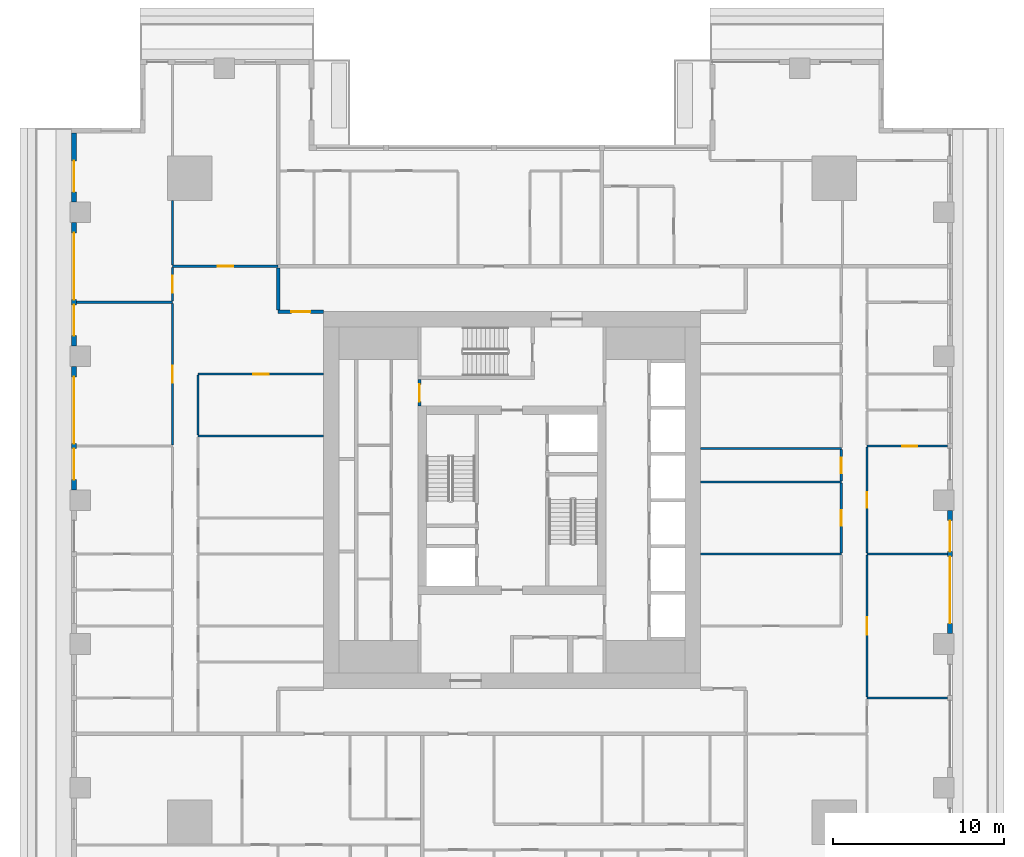
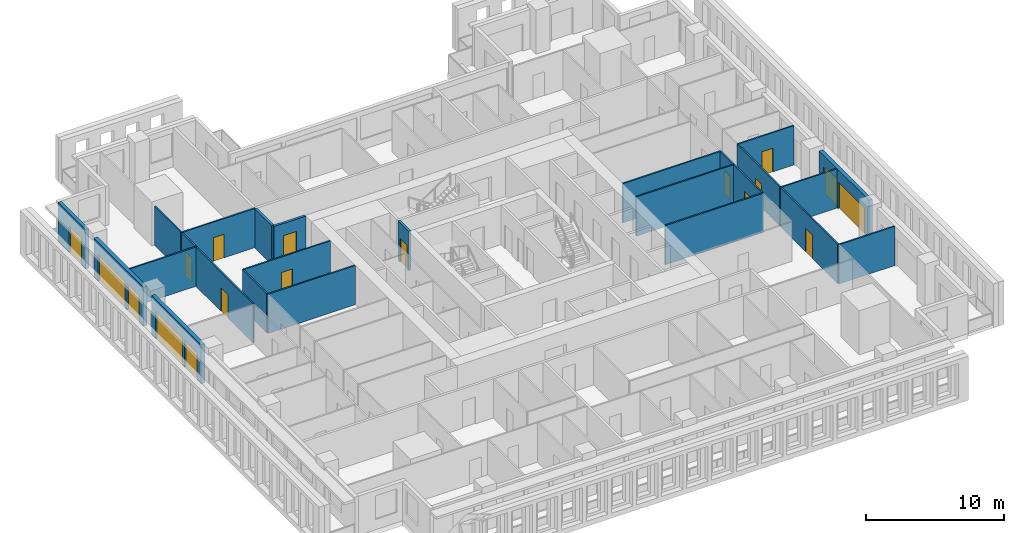
# One storey, part 6 of 15: 25 walls, 18 doors, 18 openings.
"""IFC4 building model written with IfcOpenShell, lengths in metres."""

import ifcopenshell
import ifcopenshell.guid

model = None  # the IFC model being written
_history = None  # IfcOwnerHistory: only IFC2X3 demands one
_inside = {}  # id of a spatial element -> (the spatial element, [elements in it])
_under = {}  # id of a project, library or spatial element -> (it, [spatial elements below it])
_declared = {}  # id of a project -> (the project, [libraries it declares])
_typed = {}  # id of a type object -> (the type object, [elements of that type])
_made_of = {}  # id of a material, layer set ... -> (it, [elements and type objects made of it])


def new_model(schema):
    """Start an empty IFC model of exactly this schema.

    Asked for "IFC4X3", IfcOpenShell would pick the latest addendum, in which some entities
    have other attributes; the version numbers below select the first issue.
    IFC2X3 requires an IfcOwnerHistory on every rooted entity: one is made here for all.
    """
    global model, _history
    if schema == "IFC4X3":
        model = ifcopenshell.file(schema_version=(4, 3, 0, 0))
    else:
        model = ifcopenshell.file(schema=schema)
    _inside.clear()
    _under.clear()
    _declared.clear()
    _typed.clear()
    _made_of.clear()
    _history = None
    if model.schema == "IFC2X3":
        org = make("IfcOrganization", Name="unknown")
        user = make(
            "IfcPersonAndOrganization",
            ThePerson=make("IfcPerson", FamilyName="unknown"),
            TheOrganization=org,
        )
        app = make(
            "IfcApplication",
            ApplicationDeveloper=org,
            Version="unknown",
            ApplicationFullName="unknown",
            ApplicationIdentifier="unknown",
        )
        _history = make(
            "IfcOwnerHistory",
            OwningUser=user,
            OwningApplication=app,
            ChangeAction="ADDED",
            CreationDate=0,
        )
    return model


def make(cls, **values):
    """One entity of the class cls with the attributes given. An attribute that is None is left unset."""
    return model.create_entity(
        cls, **{name: value for name, value in values.items() if value is not None}
    )


def rooted(cls, **values):
    """An entity with a GlobalId (a new one), such as an element, a storey or a relation."""
    return make(cls, GlobalId=ifcopenshell.guid.new(), OwnerHistory=_history, **values)


def si_unit(unit_type, name, prefix=None):
    """IfcSIUnit, for example si_unit("LENGTHUNIT", "METRE", prefix="MILLI")."""
    return make("IfcSIUnit", UnitType=unit_type, Prefix=prefix, Name=name)


def assignment(units):
    """IfcUnitAssignment: the units of a project."""
    return None if units is None else make("IfcUnitAssignment", Units=units)


def point(xyz):
    """IfcCartesianPoint."""
    return None if xyz is None else make("IfcCartesianPoint", Coordinates=xyz)


def direction(xyz):
    """IfcDirection."""
    return None if xyz is None else make("IfcDirection", DirectionRatios=xyz)


def frame(location, z_axis=None, x_axis=None):
    """IfcAxis2Placement3D, a coordinate frame: its origin and axes. An axis left out is left unset."""
    return make(
        "IfcAxis2Placement3D",
        Location=point(location),
        Axis=direction(z_axis),
        RefDirection=direction(x_axis),
    )


def frame_2d(location, x_axis=None):
    """IfcAxis2Placement2D, a coordinate frame in the plane: its origin and x axis."""
    return make(
        "IfcAxis2Placement2D", Location=point(location), RefDirection=direction(x_axis)
    )


def origin():
    """The frame at (0, 0, 0) with its axes left unset."""
    return frame((0.0, 0.0, 0.0))


def place(relative_to, where):
    """IfcLocalPlacement: puts the frame where relative to a parent placement (None: the world)."""
    return make(
        "IfcLocalPlacement", PlacementRelTo=relative_to, RelativePlacement=where
    )


def context(
    kind, dimensions, precision=None, world=None, true_north=None, identifier=None
):
    """IfcGeometricRepresentationContext, for example the 3D "Model" context."""
    return make(
        "IfcGeometricRepresentationContext",
        ContextIdentifier=identifier,
        ContextType=kind,
        CoordinateSpaceDimension=dimensions,
        Precision=precision,
        WorldCoordinateSystem=world,
        TrueNorth=true_north,
    )


def subcontext(parent, identifier, kind, view, scale=None):
    """IfcGeometricRepresentationSubContext, for example "Body" below "Model"."""
    return make(
        "IfcGeometricRepresentationSubContext",
        ContextIdentifier=identifier,
        ContextType=kind,
        ParentContext=parent,
        TargetScale=scale,
        TargetView=view,
    )


def project(units=None, contexts=None):
    """IfcProject with its units and contexts."""
    return rooted(
        "IfcProject",
        Name="project",
        RepresentationContexts=contexts,
        UnitsInContext=assignment(units),
    )


def spatial(cls, under=None, at=None, **own):
    """A site, building, storey or space (cls), placed at a placement, below another one or the project."""
    s = rooted(cls, ObjectPlacement=at, **own)
    if under is not None:
        _under.setdefault(under.id(), (under, []))[1].append(s)
    return s


def profile(cls, at=None, kind="AREA", **sizes):
    """A parametric profile (cls). Its sizes go by their IFC names, for example OverallWidth=200.0."""
    return make(cls, ProfileType=kind, Position=at, **sizes)


def rectangle(**sizes):
    """IfcRectangleProfileDef."""
    return profile("IfcRectangleProfileDef", **sizes)


def extrude(swept, where, along, depth):
    """IfcExtrudedAreaSolid: the profile swept, set in the frame where, extruded along a direction by depth."""
    return make(
        "IfcExtrudedAreaSolid",
        SweptArea=swept,
        Position=where,
        ExtrudedDirection=direction(along),
        Depth=depth,
    )


def shape(context_of_items, identifier, shape_type, items):
    """IfcShapeRepresentation: the items that make up one representation, for example the "Body"."""
    return make(
        "IfcShapeRepresentation",
        ContextOfItems=context_of_items,
        RepresentationIdentifier=identifier,
        RepresentationType=shape_type,
        Items=items,
    )


def material(Name=None, Category=None):
    """IfcMaterial."""
    return make("IfcMaterial", Name=Name, Category=Category)


def layer(
    of_material, thickness, ventilated=None, Name=None, Category=None, Priority=None
):
    """IfcMaterialLayer: one layer of a wall or slab, of a material (None: an air gap)."""
    return make(
        "IfcMaterialLayer",
        Material=of_material,
        LayerThickness=thickness,
        IsVentilated=ventilated,
        Name=Name,
        Category=Category,
        Priority=Priority,
    )


def layer_set(layers, Name=None):
    """IfcMaterialLayerSet."""
    return make("IfcMaterialLayerSet", MaterialLayers=layers, LayerSetName=Name)


def made_of(thing, what):
    """Note that an element or type object is made of a material, layer set ...; save() writes the relation."""
    if what is not None:
        _made_of.setdefault(what.id(), (what, []))[1].append(thing)
    return thing


def type_object(cls, material=None, **own):
    """A type object (cls), such as IfcWallType, which elements share."""
    return made_of(rooted(cls, **own), material)


def element(
    cls,
    number,
    at=None,
    inside=None,
    cuts=None,
    type_object=None,
    material=None,
    context=None,
    identifier="Body",
    shape_type=None,
    held_by="IfcProductDefinitionShape",
    body=None,
    shapes=None,
    **own,
):
    """One element of the class cls, such as IfcWall. Its Tag is "e" and its number.

    at: its placement. inside: the storey or other place that contains it. cuts: it is an
    opening in that element (IfcRelVoidsElement). A single representation is given by context,
    identifier, shape_type and body (its items); several are given by shapes. held_by: the class
    of the entity that holds the representations. save() writes the other relations.
    """
    e = rooted(cls, Tag="e%d" % number, ObjectPlacement=at, **own)
    if body is not None:
        shapes = [shape(context, identifier, shape_type, body)]
    if shapes is not None:
        e.Representation = make(held_by, Representations=shapes)
    if inside is not None:
        _inside.setdefault(inside.id(), (inside, []))[1].append(e)
    if cuts is not None:
        rooted(
            "IfcRelVoidsElement", RelatingBuildingElement=cuts, RelatedOpeningElement=e
        )
    if type_object is not None:
        _typed.setdefault(type_object.id(), (type_object, []))[1].append(e)
    return made_of(e, material)


def fill(opening, filler):
    """IfcRelFillsElement: the door or window that sits in an opening."""
    return rooted(
        "IfcRelFillsElement",
        RelatingOpeningElement=opening,
        RelatedBuildingElement=filler,
    )


def aggregate(whole, parts):
    """IfcRelAggregates: a whole, such as a stair, and the parts it consists of."""
    return rooted("IfcRelAggregates", RelatingObject=whole, RelatedObjects=parts)


def save(model, path):
    """Write the relations noted so far, then the file.

    IfcRelAggregates (storeys below a building ...), IfcRelContainedInSpatialStructure (elements
    in a storey), IfcRelDefinesByType, IfcRelAssociatesMaterial and IfcRelDeclares: one each for
    every whole, place, type object, material and project.
    """
    for whole, parts in _under.values():
        aggregate(whole, parts)
    for where, things in _inside.values():
        rooted(
            "IfcRelContainedInSpatialStructure",
            RelatedElements=things,
            RelatingStructure=where,
        )
    for kind, things in _typed.values():
        rooted("IfcRelDefinesByType", RelatedObjects=things, RelatingType=kind)
    for what, things in _made_of.values():
        rooted("IfcRelAssociatesMaterial", RelatedObjects=things, RelatingMaterial=what)
    for by, libraries in _declared.values():
        rooted("IfcRelDeclares", RelatingContext=by, RelatedDefinitions=libraries)
    model.write(path)


model = new_model("IFC4")

# Units and contexts
model_context = context("Model", 3, precision=1e-05, world=origin(), true_north=direction((0.0, 1.0)))
body_context = subcontext(model_context, "Body", "Model", "MODEL_VIEW")
ifc_project = project(units=[si_unit("LENGTHUNIT", "METRE"), si_unit("AREAUNIT", "SQUARE_METRE"), si_unit("VOLUMEUNIT", "CUBIC_METRE"), si_unit("PLANEANGLEUNIT", "RADIAN"), si_unit("MASSUNIT", "GRAM", prefix="KILO")], contexts=[model_context])

# Site, building, storey
site_placement = place(None, origin())
site = spatial("IfcSite", under=ifc_project, at=site_placement, CompositionType="ELEMENT")
building_placement = place(site_placement, origin())
building = spatial("IfcBuilding", under=site, at=building_placement, Name="Khepri Terraces", CompositionType="ELEMENT")
storey_placement = place(building_placement, frame((0.0, 0.0, 165.0)))
storey = spatial("IfcBuildingStorey", under=building, at=storey_placement, Name="L39", CompositionType="ELEMENT", Elevation=165.0)

# Wall, opening, door
ifc_material_1 = material(Name="Fire-rated gypsum board partition")
ifc_layer_1 = layer(ifc_material_1, 0.199951171875, Name="Fire-rated gypsum board partition")
ifc_layer_set_1 = layer_set([ifc_layer_1], Name="Fire-rated gypsum board partition")
wall_type_1 = type_object("IfcWallType", Name="WL-CORE-PART-200", PredefinedType="PARTITIONING", material=ifc_layer_set_1)
wall_1_placement = place(storey_placement, frame((-5.39990234375, 5.5, 0.0), z_axis=(0.0, 0.0, 1.0), x_axis=(0.0, 1.0, 0.0)))
wall_1 = element("IfcWall", 1, at=wall_1_placement, inside=storey, type_object=wall_type_1, Name="Core partition PT11 L39", PredefinedType="PARTITIONING", context=body_context, shape_type="SweptSolid", body=[
    extrude(rectangle(XDim=1.550048828125, YDim=0.199951171875, at=frame_2d((0.77490234375, 0.0))), origin(), (0.0, 0.0, 1.0), 3.47998046875),
])
opening_1_placement = place(wall_1_placement, frame((0.25, 0.0, 0.0)))
opening_1 = element("IfcOpeningElement", 2, at=opening_1_placement, cuts=wall_1, Name="Opening L39-C16", PredefinedType="OPENING", context=body_context, shape_type="SweptSolid", body=[
    extrude(rectangle(XDim=1.0, YDim=2.10009765625, at=frame_2d((0.5, 1.050048828125))), frame((0.0, 0.10986328125, 0.0), z_axis=(0.0, -1.0, 0.0), x_axis=(1.0, 0.0, 0.0)), (0.0, 0.0, 1.0), 0.219970703125),
])
ifc_material_2 = material(Name="Painted steel", Category="steel")
door_type_1 = type_object("IfcDoorType", Name="DR-CORE-LOBBY-1000", OperationType="NOTDEFINED", PredefinedType="DOOR", material=ifc_material_2)
door_1_placement = place(opening_1_placement, frame((1.0, 0.0, 0.0), z_axis=(0.0, 0.0, 1.0), x_axis=(-1.0, 0.0, 0.0)))
door_1 = element("IfcDoor", 3, at=door_1_placement, inside=storey, type_object=door_type_1, Name="Lobby door L39-C16", OperationType="SINGLE_SWING_RIGHT", OverallHeight=2.10009765625, OverallWidth=1.0, PredefinedType="DOOR", context=body_context, shape_type="SweptSolid", body=[
    extrude(rectangle(XDim=1.0, YDim=2.10009765625, at=frame_2d((0.5, 1.050048828125))), frame((0.0, 0.02490234375, 0.0), z_axis=(0.0, -1.0, 0.0), x_axis=(1.0, 0.0, 0.0)), (0.0, 0.0, 1.0), 0.050048828125),
])
fill(opening_1, door_1)

ifc_material_3 = material(Name="Fire-rated gypsum plasterboard partition, mineral wool")
ifc_layer_2 = layer(ifc_material_3, 0.199951171875, Name="Fire-rated gypsum plasterboard partition, mineral wool")
ifc_layer_set_2 = layer_set([ifc_layer_2], Name="Fire-rated gypsum plasterboard partition, mineral wool")
wall_type_2 = type_object("IfcWallType", Name="WL-CORR-200", PredefinedType="PARTITIONING", material=ifc_layer_set_2)
wall_2_placement = place(storey_placement, frame((-13.64990234375, 11.0, 0.0), z_axis=(0.0, 0.0, 1.0), x_axis=(1.0, 0.0, 0.0)))
wall_2 = element("IfcWall", 4, at=wall_2_placement, inside=storey, type_object=wall_type_2, Name="Partition P-075 L39", PredefinedType="PARTITIONING", context=body_context, shape_type="SweptSolid", body=[
    extrude(rectangle(XDim=2.64990234375, YDim=0.199951171875, at=frame_2d((1.324951171875, 0.0))), origin(), (0.0, 0.0, 1.0), 3.47998046875),
])
opening_2_placement = place(wall_2_placement, frame((0.77490234375, 0.0, 0.0)))
opening_2 = element("IfcOpeningElement", 5, at=opening_2_placement, cuts=wall_2, Name="Opening D1", PredefinedType="OPENING", context=body_context, shape_type="SweptSolid", body=[
    extrude(rectangle(XDim=1.10009765625, YDim=2.39990234375, at=frame_2d((0.550048828125, 1.199951171875))), frame((0.0, 0.10986328125, 0.0), z_axis=(0.0, -1.0, 0.0), x_axis=(1.0, 0.0, 0.0)), (0.0, 0.0, 1.0), 0.219970703125),
])
ifc_material_4 = material(Name="Solid-core timber door leaf, flat entrance door", Category="wood")
door_type_2 = type_object("IfcDoorType", Name="DR-ENT-1100", OperationType="NOTDEFINED", PredefinedType="DOOR", material=ifc_material_4)
door_2_placement = place(opening_2_placement, frame((1.10009765625, 0.0, 0.0), z_axis=(0.0, 0.0, 1.0), x_axis=(-1.0, 0.0, 0.0)))
door_2 = element("IfcDoor", 6, at=door_2_placement, inside=storey, type_object=door_type_2, Name="Flat D1 entrance door", OperationType="SINGLE_SWING_LEFT", OverallHeight=2.39990234375, OverallWidth=1.10009765625, PredefinedType="DOOR", context=body_context, shape_type="SweptSolid", body=[
    extrude(rectangle(XDim=1.10009765625, YDim=2.39990234375, at=frame_2d((0.550048828125, 1.199951171875))), frame((0.0, 0.02490234375, 0.0), z_axis=(0.0, -1.0, 0.0), x_axis=(1.0, 0.0, 0.0)), (0.0, 0.0, 1.0), 0.050048828125),
])
fill(opening_2, door_2)

# Wall
wall_3_placement = place(storey_placement, frame((-13.64990234375, 11.10009765625, 0.0), z_axis=(0.0, 0.0, 1.0), x_axis=(0.0, 1.0, 0.0)))
element("IfcWall", 7, at=wall_3_placement, inside=storey, type_object=wall_type_2, Name="Partition P-077 L39", PredefinedType="PARTITIONING", context=body_context, shape_type="SweptSolid", body=[
    extrude(rectangle(XDim=2.449951171875, YDim=0.199951171875, at=frame_2d((1.22509765625, 0.0))), origin(), (0.0, 0.0, 1.0), 3.47998046875),
])

# Wall, openings, doors
ifc_material_5 = material(Name="Precast concrete C50/60 warm stone", Category="masonry")
ifc_layer_3 = layer(ifc_material_5, 0.300048828125, Name="Precast concrete C50/60 warm stone", Category="masonry")
ifc_layer_set_3 = layer_set([ifc_layer_3], Name="Precast concrete C50/60 warm stone")
wall_type_3 = type_object("IfcWallType", Name="WL-EXT-PRECAST-300", PredefinedType="STANDARD", material=ifc_layer_set_3)
wall_4_placement = place(storey_placement, frame((25.570068359375, -7.800048828125, 0.0), z_axis=(0.0, 0.0, 1.0), x_axis=(0.0, 1.0, 0.0)))
wall_4 = element("IfcWall", 8, at=wall_4_placement, inside=storey, type_object=wall_type_3, Name="External wall L39 E", PredefinedType="STANDARD", context=body_context, shape_type="SweptSolid", body=[
    extrude(rectangle(XDim=7.199951171875, YDim=0.300048828125, at=frame_2d((3.60009765625, 0.0))), origin(), (0.0, 0.0, 1.0), 3.47998046875),
])
opening_3_placement = place(wall_4_placement, frame((0.60009765625, 0.0, 0.0)))
opening_3 = element("IfcOpeningElement", 9, at=opening_3_placement, cuts=wall_4, Name="Opening ED-L39-04", PredefinedType="OPENING", context=body_context, shape_type="SweptSolid", body=[
    extrude(rectangle(XDim=3.89990234375, YDim=2.39990234375, at=frame_2d((1.949951171875, 1.199951171875))), frame((0.0, 0.16015625, 0.0), z_axis=(0.0, -1.0, 0.0), x_axis=(1.0, 0.0, 0.0)), (0.0, 0.0, 1.0), 0.320068359375),
])
opening_4_placement = place(wall_4_placement, frame((4.800048828125, 0.0, 0.0)))
opening_4 = element("IfcOpeningElement", 10, at=opening_4_placement, cuts=wall_4, Name="Opening ED-L39-05", PredefinedType="OPENING", context=body_context, shape_type="SweptSolid", body=[
    extrude(rectangle(XDim=1.800048828125, YDim=2.39990234375, at=frame_2d((0.89990234375, 1.199951171875))), frame((0.0, 0.16015625, 0.0), z_axis=(0.0, -1.0, 0.0), x_axis=(1.0, 0.0, 0.0)), (0.0, 0.0, 1.0), 0.320068359375),
])
ifc_material_6 = material(Name="Anodised aluminium bronze glazed door", Category="aluminium")
door_type_3 = type_object("IfcDoorType", Name="DR-BAL-SLIDE-1800x2400", OperationType="NOTDEFINED", PredefinedType="DOOR", material=ifc_material_6)
door_3_placement = place(opening_4_placement, origin())
door_3 = element("IfcDoor", 11, at=door_3_placement, inside=storey, type_object=door_type_3, Name="Balcony door L39 E", OperationType="SLIDING_TO_RIGHT", OverallHeight=2.39990234375, OverallWidth=1.800048828125, PredefinedType="DOOR", context=body_context, shape_type="SweptSolid", body=[
    extrude(rectangle(XDim=1.800048828125, YDim=2.39990234375, at=frame_2d((0.89990234375, 1.199951171875))), frame((0.0, 0.02490234375, 0.0), z_axis=(0.0, -1.0, 0.0), x_axis=(1.0, 0.0, 0.0)), (0.0, 0.0, 1.0), 0.050048828125),
])
fill(opening_4, door_3)
door_type_4 = type_object("IfcDoorType", Name="DR-BAL-SLIDE-3900x2400", OperationType="NOTDEFINED", PredefinedType="DOOR", material=ifc_material_6)
door_4_placement = place(opening_3_placement, origin())
door_4 = element("IfcDoor", 12, at=door_4_placement, inside=storey, type_object=door_type_4, Name="Balcony door L39 E", OperationType="SLIDING_TO_LEFT", OverallHeight=2.39990234375, OverallWidth=3.89990234375, PredefinedType="DOOR", context=body_context, shape_type="SweptSolid", body=[
    extrude(rectangle(XDim=3.89990234375, YDim=2.39990234375, at=frame_2d((1.949951171875, 1.199951171875))), frame((0.0, 0.02490234375, 0.0), z_axis=(0.0, -1.0, 0.0), x_axis=(1.0, 0.0, 0.0)), (0.0, 0.0, 1.0), 0.050048828125),
])
fill(opening_3, door_4)

# Wall, opening, door
wall_5_placement = place(storey_placement, frame((-25.570068359375, 21.419921875, 0.0), z_axis=(0.0, 0.0, 1.0), x_axis=(0.0, -1.0, 0.0)))
wall_5 = element("IfcWall", 13, at=wall_5_placement, inside=storey, type_object=wall_type_3, Name="External wall L39 W", PredefinedType="STANDARD", context=body_context, shape_type="SweptSolid", body=[
    extrude(rectangle(XDim=4.02001953125, YDim=0.300048828125, at=frame_2d((2.010009765625, 0.0))), origin(), (0.0, 0.0, 1.0), 3.47998046875),
])
opening_5_placement = place(wall_5_placement, frame((1.6201171875, 0.0, 0.0)))
opening_5 = element("IfcOpeningElement", 14, at=opening_5_placement, cuts=wall_5, Name="Opening ED-L39-13", PredefinedType="OPENING", context=body_context, shape_type="SweptSolid", body=[
    extrude(rectangle(XDim=1.800048828125, YDim=2.39990234375, at=frame_2d((0.89990234375, 1.199951171875))), frame((0.0, 0.16015625, 0.0), z_axis=(0.0, -1.0, 0.0), x_axis=(1.0, 0.0, 0.0)), (0.0, 0.0, 1.0), 0.320068359375),
])
door_5_placement = place(opening_5_placement, origin())
door_5 = element("IfcDoor", 15, at=door_5_placement, inside=storey, type_object=door_type_3, Name="Balcony door L39 W", OperationType="SLIDING_TO_RIGHT", OverallHeight=2.39990234375, OverallWidth=1.800048828125, PredefinedType="DOOR", context=body_context, shape_type="SweptSolid", body=[
    extrude(rectangle(XDim=1.800048828125, YDim=2.39990234375, at=frame_2d((0.89990234375, 1.199951171875))), frame((0.0, 0.02490234375, 0.0), z_axis=(0.0, -1.0, 0.0), x_axis=(1.0, 0.0, 0.0)), (0.0, 0.0, 1.0), 0.050048828125),
])
fill(opening_5, door_5)

# Wall, openings, doors
wall_6_placement = place(storey_placement, frame((-25.570068359375, 16.199951171875, 0.0), z_axis=(0.0, 0.0, 1.0), x_axis=(0.0, -1.0, 0.0)))
wall_6 = element("IfcWall", 16, at=wall_6_placement, inside=storey, type_object=wall_type_3, Name="External wall L39 W", PredefinedType="STANDARD", context=body_context, shape_type="SweptSolid", body=[
    extrude(rectangle(XDim=7.199951171875, YDim=0.300048828125, at=frame_2d((3.60009765625, 0.0))), origin(), (0.0, 0.0, 1.0), 3.47998046875),
])
opening_6_placement = place(wall_6_placement, frame((0.60009765625, 0.0, 0.0)))
opening_6 = element("IfcOpeningElement", 17, at=opening_6_placement, cuts=wall_6, Name="Opening ED-L39-14", PredefinedType="OPENING", context=body_context, shape_type="SweptSolid", body=[
    extrude(rectangle(XDim=3.89990234375, YDim=2.39990234375, at=frame_2d((1.949951171875, 1.199951171875))), frame((0.0, 0.16015625, 0.0), z_axis=(0.0, -1.0, 0.0), x_axis=(1.0, 0.0, 0.0)), (0.0, 0.0, 1.0), 0.320068359375),
])
opening_7_placement = place(wall_6_placement, frame((4.800048828125, 0.0, 0.0)))
opening_7 = element("IfcOpeningElement", 18, at=opening_7_placement, cuts=wall_6, Name="Opening ED-L39-15", PredefinedType="OPENING", context=body_context, shape_type="SweptSolid", body=[
    extrude(rectangle(XDim=1.800048828125, YDim=2.39990234375, at=frame_2d((0.89990234375, 1.199951171875))), frame((0.0, 0.16015625, 0.0), z_axis=(0.0, -1.0, 0.0), x_axis=(1.0, 0.0, 0.0)), (0.0, 0.0, 1.0), 0.320068359375),
])
door_6_placement = place(opening_7_placement, origin())
door_6 = element("IfcDoor", 19, at=door_6_placement, inside=storey, type_object=door_type_3, Name="Balcony door L39 W", OperationType="SLIDING_TO_RIGHT", OverallHeight=2.39990234375, OverallWidth=1.800048828125, PredefinedType="DOOR", context=body_context, shape_type="SweptSolid", body=[
    extrude(rectangle(XDim=1.800048828125, YDim=2.39990234375, at=frame_2d((0.89990234375, 1.199951171875))), frame((0.0, 0.02490234375, 0.0), z_axis=(0.0, -1.0, 0.0), x_axis=(1.0, 0.0, 0.0)), (0.0, 0.0, 1.0), 0.050048828125),
])
fill(opening_7, door_6)
door_7_placement = place(opening_6_placement, origin())
door_7 = element("IfcDoor", 20, at=door_7_placement, inside=storey, type_object=door_type_4, Name="Balcony door L39 W", OperationType="SLIDING_TO_LEFT", OverallHeight=2.39990234375, OverallWidth=3.89990234375, PredefinedType="DOOR", context=body_context, shape_type="SweptSolid", body=[
    extrude(rectangle(XDim=3.89990234375, YDim=2.39990234375, at=frame_2d((1.949951171875, 1.199951171875))), frame((0.0, 0.02490234375, 0.0), z_axis=(0.0, -1.0, 0.0), x_axis=(1.0, 0.0, 0.0)), (0.0, 0.0, 1.0), 0.050048828125),
])
fill(opening_6, door_7)

wall_7_placement = place(storey_placement, frame((-25.570068359375, 7.800048828125, 0.0), z_axis=(0.0, 0.0, 1.0), x_axis=(0.0, -1.0, 0.0)))
wall_7 = element("IfcWall", 21, at=wall_7_placement, inside=storey, type_object=wall_type_3, Name="External wall L39 W", PredefinedType="STANDARD", context=body_context, shape_type="SweptSolid", body=[
    extrude(rectangle(XDim=7.199951171875, YDim=0.300048828125, at=frame_2d((3.60009765625, 0.0))), origin(), (0.0, 0.0, 1.0), 3.47998046875),
])
opening_8_placement = place(wall_7_placement, frame((0.60009765625, 0.0, 0.0)))
opening_8 = element("IfcOpeningElement", 22, at=opening_8_placement, cuts=wall_7, Name="Opening ED-L39-16", PredefinedType="OPENING", context=body_context, shape_type="SweptSolid", body=[
    extrude(rectangle(XDim=3.89990234375, YDim=2.39990234375, at=frame_2d((1.949951171875, 1.199951171875))), frame((0.0, 0.16015625, 0.0), z_axis=(0.0, -1.0, 0.0), x_axis=(1.0, 0.0, 0.0)), (0.0, 0.0, 1.0), 0.320068359375),
])
opening_9_placement = place(wall_7_placement, frame((4.800048828125, 0.0, 0.0)))
opening_9 = element("IfcOpeningElement", 23, at=opening_9_placement, cuts=wall_7, Name="Opening ED-L39-17", PredefinedType="OPENING", context=body_context, shape_type="SweptSolid", body=[
    extrude(rectangle(XDim=1.800048828125, YDim=2.39990234375, at=frame_2d((0.89990234375, 1.199951171875))), frame((0.0, 0.16015625, 0.0), z_axis=(0.0, -1.0, 0.0), x_axis=(1.0, 0.0, 0.0)), (0.0, 0.0, 1.0), 0.320068359375),
])
door_8_placement = place(opening_9_placement, origin())
door_8 = element("IfcDoor", 24, at=door_8_placement, inside=storey, type_object=door_type_3, Name="Balcony door L39 W", OperationType="SLIDING_TO_RIGHT", OverallHeight=2.39990234375, OverallWidth=1.800048828125, PredefinedType="DOOR", context=body_context, shape_type="SweptSolid", body=[
    extrude(rectangle(XDim=1.800048828125, YDim=2.39990234375, at=frame_2d((0.89990234375, 1.199951171875))), frame((0.0, 0.02490234375, 0.0), z_axis=(0.0, -1.0, 0.0), x_axis=(1.0, 0.0, 0.0)), (0.0, 0.0, 1.0), 0.050048828125),
])
fill(opening_9, door_8)
door_9_placement = place(opening_8_placement, origin())
door_9 = element("IfcDoor", 25, at=door_9_placement, inside=storey, type_object=door_type_4, Name="Balcony door L39 W", OperationType="SLIDING_TO_LEFT", OverallHeight=2.39990234375, OverallWidth=3.89990234375, PredefinedType="DOOR", context=body_context, shape_type="SweptSolid", body=[
    extrude(rectangle(XDim=3.89990234375, YDim=2.39990234375, at=frame_2d((1.949951171875, 1.199951171875))), frame((0.0, 0.02490234375, 0.0), z_axis=(0.0, -1.0, 0.0), x_axis=(1.0, 0.0, 0.0)), (0.0, 0.0, 1.0), 0.050048828125),
])
fill(opening_8, door_9)

# Wall
ifc_material_7 = material(Name="Gypsum plasterboard partition")
ifc_layer_4 = layer(ifc_material_7, 0.1201171875, Name="Gypsum plasterboard partition")
ifc_layer_set_4 = layer_set([ifc_layer_4], Name="Gypsum plasterboard partition")
wall_type_4 = type_object("IfcWallType", Name="WL-PART-120", PredefinedType="PARTITIONING", material=ifc_layer_set_4)
wall_8_placement = place(storey_placement, frame((20.719970703125, -11.550048828125, 0.0), z_axis=(0.0, 0.0, 1.0), x_axis=(1.0, 0.0, 0.0)))
element("IfcWall", 26, at=wall_8_placement, inside=storey, type_object=wall_type_4, Name="Partition P-031 L39", PredefinedType="PARTITIONING", context=body_context, shape_type="SweptSolid", body=[
    extrude(rectangle(XDim=4.699951171875, YDim=0.1201171875, at=frame_2d((2.35009765625, 0.0))), origin(), (0.0, 0.0, 1.0), 3.47998046875),
])

# Wall, opening, door
wall_9_placement = place(storey_placement, frame((20.719970703125, -11.489990234375, 0.0), z_axis=(0.0, 0.0, 1.0), x_axis=(0.0, 1.0, 0.0)))
wall_9 = element("IfcWall", 27, at=wall_9_placement, inside=storey, type_object=wall_type_4, Name="Partition P-033 L39", PredefinedType="PARTITIONING", context=body_context, shape_type="SweptSolid", body=[
    extrude(rectangle(XDim=8.280029296875, YDim=0.1201171875, at=frame_2d((4.14013671875, 0.0))), origin(), (0.0, 0.0, 1.0), 3.47998046875),
])
opening_10_placement = place(wall_9_placement, frame((3.639892578125, 0.0, 0.0)))
opening_10 = element("IfcOpeningElement", 28, at=opening_10_placement, cuts=wall_9, Name="Opening D2", PredefinedType="OPENING", context=body_context, shape_type="SweptSolid", body=[
    extrude(rectangle(XDim=1.0, YDim=2.10009765625, at=frame_2d((0.5, 1.050048828125))), frame((0.0, 0.070068359375, 0.0), z_axis=(0.0, -1.0, 0.0), x_axis=(1.0, 0.0, 0.0)), (0.0, 0.0, 1.0), 0.14013671875),
])
ifc_material_8 = material(Name="Timber door leaf, living room door", Category="wood")
door_type_5 = type_object("IfcDoorType", Name="DR-INT-1000", OperationType="NOTDEFINED", PredefinedType="DOOR", material=ifc_material_8)
door_10_placement = place(opening_10_placement, frame((1.0, 0.0, 0.0), z_axis=(0.0, 0.0, 1.0), x_axis=(-1.0, 0.0, 0.0)))
door_10 = element("IfcDoor", 29, at=door_10_placement, inside=storey, type_object=door_type_5, Name="Door Living Room", OperationType="SINGLE_SWING_RIGHT", OverallHeight=2.10009765625, OverallWidth=1.0, PredefinedType="DOOR", context=body_context, shape_type="SweptSolid", body=[
    extrude(rectangle(XDim=1.0, YDim=2.10009765625, at=frame_2d((0.5, 1.050048828125))), frame((0.0, 0.02490234375, 0.0), z_axis=(0.0, -1.0, 0.0), x_axis=(1.0, 0.0, 0.0)), (0.0, 0.0, 1.0), 0.050048828125),
])
fill(opening_10, door_10)

# Walls
wall_10_placement = place(storey_placement, frame((11.0, -3.14990234375, 0.0), z_axis=(0.0, 0.0, 1.0), x_axis=(1.0, 0.0, 0.0)))
element("IfcWall", 30, at=wall_10_placement, inside=storey, type_object=wall_type_4, Name="Partition P-048 L39", PredefinedType="PARTITIONING", context=body_context, shape_type="SweptSolid", body=[
    extrude(rectangle(XDim=8.219970703125, YDim=0.1201171875, at=frame_2d((4.10986328125, 0.0))), origin(), (0.0, 0.0, 1.0), 3.47998046875),
])
wall_11_placement = place(storey_placement, frame((20.719970703125, -3.14990234375, 0.0), z_axis=(0.0, 0.0, 1.0), x_axis=(1.0, 0.0, 0.0)))
element("IfcWall", 31, at=wall_11_placement, inside=storey, type_object=wall_type_4, Name="Partition P-049 L39", PredefinedType="PARTITIONING", context=body_context, shape_type="SweptSolid", body=[
    extrude(rectangle(XDim=4.699951171875, YDim=0.1201171875, at=frame_2d((2.35009765625, 0.0))), origin(), (0.0, 0.0, 1.0), 3.47998046875),
])

# Wall, opening, door
wall_12_placement = place(storey_placement, frame((19.219970703125, -3.090087890625, 0.0), z_axis=(0.0, 0.0, 1.0), x_axis=(0.0, 1.0, 0.0)))
wall_12 = element("IfcWall", 32, at=wall_12_placement, inside=storey, type_object=wall_type_4, Name="Partition P-052 L39", PredefinedType="PARTITIONING", context=body_context, shape_type="SweptSolid", body=[
    extrude(rectangle(XDim=4.080078125, YDim=0.1201171875, at=frame_2d((2.0400390625, 0.0))), origin(), (0.0, 0.0, 1.0), 3.47998046875),
])
opening_11_placement = place(wall_12_placement, frame((1.590087890625, 0.0, 0.0)))
opening_11 = element("IfcOpeningElement", 33, at=opening_11_placement, cuts=wall_12, Name="Opening D3", PredefinedType="OPENING", context=body_context, shape_type="SweptSolid", body=[
    extrude(rectangle(XDim=0.89990234375, YDim=2.10009765625, at=frame_2d((0.449951171875, 1.050048828125))), frame((0.0, 0.070068359375, 0.0), z_axis=(0.0, -1.0, 0.0), x_axis=(1.0, 0.0, 0.0)), (0.0, 0.0, 1.0), 0.14013671875),
])
ifc_material_9 = material(Name="Timber door leaf", Category="wood")
door_type_6 = type_object("IfcDoorType", Name="DR-INT-900", OperationType="NOTDEFINED", PredefinedType="DOOR", material=ifc_material_9)
door_11_placement = place(opening_11_placement, origin())
door_11 = element("IfcDoor", 34, at=door_11_placement, inside=storey, type_object=door_type_6, Name="Door Utility Room", OperationType="SINGLE_SWING_RIGHT", OverallHeight=2.10009765625, OverallWidth=0.89990234375, PredefinedType="DOOR", context=body_context, shape_type="SweptSolid", body=[
    extrude(rectangle(XDim=0.89990234375, YDim=2.10009765625, at=frame_2d((0.449951171875, 1.050048828125))), frame((0.0, 0.02490234375, 0.0), z_axis=(0.0, -1.0, 0.0), x_axis=(1.0, 0.0, 0.0)), (0.0, 0.0, 1.0), 0.050048828125),
])
fill(opening_11, door_11)

wall_13_placement = place(storey_placement, frame((20.719970703125, -3.090087890625, 0.0), z_axis=(0.0, 0.0, 1.0), x_axis=(0.0, 1.0, 0.0)))
wall_13 = element("IfcWall", 35, at=wall_13_placement, inside=storey, type_object=wall_type_4, Name="Partition P-053 L39", PredefinedType="PARTITIONING", context=body_context, shape_type="SweptSolid", body=[
    extrude(rectangle(XDim=6.18017578125, YDim=0.1201171875, at=frame_2d((3.090087890625, 0.0))), origin(), (0.0, 0.0, 1.0), 3.47998046875),
])
opening_12_placement = place(wall_13_placement, frame((2.639892578125, 0.0, 0.0)))
opening_12 = element("IfcOpeningElement", 36, at=opening_12_placement, cuts=wall_13, Name="Opening D3", PredefinedType="OPENING", context=body_context, shape_type="SweptSolid", body=[
    extrude(rectangle(XDim=0.89990234375, YDim=2.10009765625, at=frame_2d((0.449951171875, 1.050048828125))), frame((0.0, 0.070068359375, 0.0), z_axis=(0.0, -1.0, 0.0), x_axis=(1.0, 0.0, 0.0)), (0.0, 0.0, 1.0), 0.14013671875),
])
door_12_placement = place(opening_12_placement, frame((0.89990234375, 0.0, 0.0), z_axis=(0.0, 0.0, 1.0), x_axis=(-1.0, 0.0, 0.0)))
door_12 = element("IfcDoor", 37, at=door_12_placement, inside=storey, type_object=door_type_6, Name="Door Master Bedroom", OperationType="SINGLE_SWING_LEFT", OverallHeight=2.10009765625, OverallWidth=0.89990234375, PredefinedType="DOOR", context=body_context, shape_type="SweptSolid", body=[
    extrude(rectangle(XDim=0.89990234375, YDim=2.10009765625, at=frame_2d((0.449951171875, 1.050048828125))), frame((0.0, 0.02490234375, 0.0), z_axis=(0.0, -1.0, 0.0), x_axis=(1.0, 0.0, 0.0)), (0.0, 0.0, 1.0), 0.050048828125),
])
fill(opening_12, door_12)

# Wall
wall_14_placement = place(storey_placement, frame((11.0, 1.050048828125, 0.0), z_axis=(0.0, 0.0, 1.0), x_axis=(1.0, 0.0, 0.0)))
element("IfcWall", 38, at=wall_14_placement, inside=storey, type_object=wall_type_4, Name="Partition P-056 L39", PredefinedType="PARTITIONING", context=body_context, shape_type="SweptSolid", body=[
    extrude(rectangle(XDim=8.219970703125, YDim=0.1201171875, at=frame_2d((4.10986328125, 0.0))), origin(), (0.0, 0.0, 1.0), 3.47998046875),
])

# Wall, opening, door
wall_15_placement = place(storey_placement, frame((19.219970703125, 1.110107421875, 0.0), z_axis=(0.0, 0.0, 1.0), x_axis=(0.0, 1.0, 0.0)))
wall_15 = element("IfcWall", 39, at=wall_15_placement, inside=storey, type_object=wall_type_4, Name="Partition P-057 L39", PredefinedType="PARTITIONING", context=body_context, shape_type="SweptSolid", body=[
    extrude(rectangle(XDim=1.829833984375, YDim=0.1201171875, at=frame_2d((0.9150390625, 0.0))), origin(), (0.0, 0.0, 1.0), 3.47998046875),
])
opening_13_placement = place(wall_15_placement, frame((0.465087890625, 0.0, 0.0)))
opening_13 = element("IfcOpeningElement", 40, at=opening_13_placement, cuts=wall_15, Name="Opening D4", PredefinedType="OPENING", context=body_context, shape_type="SweptSolid", body=[
    extrude(rectangle(XDim=0.89990234375, YDim=2.10009765625, at=frame_2d((0.449951171875, 1.050048828125))), frame((0.0, 0.070068359375, 0.0), z_axis=(0.0, -1.0, 0.0), x_axis=(1.0, 0.0, 0.0)), (0.0, 0.0, 1.0), 0.14013671875),
])
ifc_material_10 = material(Name="Timber door leaf, moisture resistant", Category="wood")
door_type_7 = type_object("IfcDoorType", Name="DR-WET-900", OperationType="NOTDEFINED", PredefinedType="DOOR", material=ifc_material_10)
door_13_placement = place(opening_13_placement, origin())
door_13 = element("IfcDoor", 41, at=door_13_placement, inside=storey, type_object=door_type_7, Name="Door Powder Room", OperationType="SINGLE_SWING_LEFT", OverallHeight=2.10009765625, OverallWidth=0.89990234375, PredefinedType="DOOR", context=body_context, shape_type="SweptSolid", body=[
    extrude(rectangle(XDim=0.89990234375, YDim=2.10009765625, at=frame_2d((0.449951171875, 1.050048828125))), frame((0.0, 0.02490234375, 0.0), z_axis=(0.0, -1.0, 0.0), x_axis=(1.0, 0.0, 0.0)), (0.0, 0.0, 1.0), 0.050048828125),
])
fill(opening_13, door_13)

# Wall
wall_16_placement = place(storey_placement, frame((11.0, 3.0, 0.0), z_axis=(0.0, 0.0, 1.0), x_axis=(1.0, 0.0, 0.0)))
element("IfcWall", 42, at=wall_16_placement, inside=storey, type_object=wall_type_4, Name="Partition P-058 L39", PredefinedType="PARTITIONING", context=body_context, shape_type="SweptSolid", body=[
    extrude(rectangle(XDim=8.219970703125, YDim=0.1201171875, at=frame_2d((4.10986328125, 0.0))), origin(), (0.0, 0.0, 1.0), 3.47998046875),
])

# Wall, opening, door
wall_17_placement = place(storey_placement, frame((20.719970703125, 3.14990234375, 0.0), z_axis=(0.0, 0.0, 1.0), x_axis=(1.0, 0.0, 0.0)))
wall_17 = element("IfcWall", 43, at=wall_17_placement, inside=storey, type_object=wall_type_4, Name="Partition P-061 L39", PredefinedType="PARTITIONING", context=body_context, shape_type="SweptSolid", body=[
    extrude(rectangle(XDim=4.699951171875, YDim=0.1201171875, at=frame_2d((2.35009765625, 0.0))), origin(), (0.0, 0.0, 1.0), 3.47998046875),
])
opening_14_placement = place(wall_17_placement, frame((2.050048828125, 0.0, 0.0)))
opening_14 = element("IfcOpeningElement", 44, at=opening_14_placement, cuts=wall_17, Name="Opening D3", PredefinedType="OPENING", context=body_context, shape_type="SweptSolid", body=[
    extrude(rectangle(XDim=0.89990234375, YDim=2.10009765625, at=frame_2d((0.449951171875, 1.050048828125))), frame((0.0, 0.070068359375, 0.0), z_axis=(0.0, -1.0, 0.0), x_axis=(1.0, 0.0, 0.0)), (0.0, 0.0, 1.0), 0.14013671875),
])
door_14_placement = place(opening_14_placement, origin())
door_14 = element("IfcDoor", 45, at=door_14_placement, inside=storey, type_object=door_type_6, Name="Door Dressing Room", OperationType="SINGLE_SWING_RIGHT", OverallHeight=2.10009765625, OverallWidth=0.89990234375, PredefinedType="DOOR", context=body_context, shape_type="SweptSolid", body=[
    extrude(rectangle(XDim=0.89990234375, YDim=2.10009765625, at=frame_2d((0.449951171875, 1.050048828125))), frame((0.0, 0.02490234375, 0.0), z_axis=(0.0, -1.0, 0.0), x_axis=(1.0, 0.0, 0.0)), (0.0, 0.0, 1.0), 0.050048828125),
])
fill(opening_14, door_14)

wall_18_placement = place(storey_placement, frame((-19.820068359375, 3.2099609375, 0.0), z_axis=(0.0, 0.0, 1.0), x_axis=(0.0, 1.0, 0.0)))
wall_18 = element("IfcWall", 46, at=wall_18_placement, inside=storey, type_object=wall_type_4, Name="Partition P-062 L39", PredefinedType="PARTITIONING", context=body_context, shape_type="SweptSolid", body=[
    extrude(rectangle(XDim=8.280029296875, YDim=0.1201171875, at=frame_2d((4.14013671875, 0.0))), origin(), (0.0, 0.0, 1.0), 3.47998046875),
])
opening_15_placement = place(wall_18_placement, frame((3.639892578125, 0.0, 0.0)))
opening_15 = element("IfcOpeningElement", 47, at=opening_15_placement, cuts=wall_18, Name="Opening D2", PredefinedType="OPENING", context=body_context, shape_type="SweptSolid", body=[
    extrude(rectangle(XDim=1.0, YDim=2.10009765625, at=frame_2d((0.5, 1.050048828125))), frame((0.0, 0.070068359375, 0.0), z_axis=(0.0, -1.0, 0.0), x_axis=(1.0, 0.0, 0.0)), (0.0, 0.0, 1.0), 0.14013671875),
])
door_15_placement = place(opening_15_placement, origin())
door_15 = element("IfcDoor", 48, at=door_15_placement, inside=storey, type_object=door_type_5, Name="Door Living Room", OperationType="SINGLE_SWING_RIGHT", OverallHeight=2.10009765625, OverallWidth=1.0, PredefinedType="DOOR", context=body_context, shape_type="SweptSolid", body=[
    extrude(rectangle(XDim=1.0, YDim=2.10009765625, at=frame_2d((0.5, 1.050048828125))), frame((0.0, 0.02490234375, 0.0), z_axis=(0.0, -1.0, 0.0), x_axis=(1.0, 0.0, 0.0)), (0.0, 0.0, 1.0), 0.050048828125),
])
fill(opening_15, door_15)

# Walls
wall_19_placement = place(storey_placement, frame((-18.320068359375, 3.75, 0.0), z_axis=(0.0, 0.0, 1.0), x_axis=(1.0, 0.0, 0.0)))
element("IfcWall", 49, at=wall_19_placement, inside=storey, type_object=wall_type_4, Name="Partition P-064 L39", PredefinedType="PARTITIONING", context=body_context, shape_type="SweptSolid", body=[
    extrude(rectangle(XDim=7.320068359375, YDim=0.1201171875, at=frame_2d((3.66015625, 0.0))), origin(), (0.0, 0.0, 1.0), 3.47998046875),
])
wall_20_placement = place(storey_placement, frame((-18.320068359375, 3.81005859375, 0.0), z_axis=(0.0, 0.0, 1.0), x_axis=(0.0, 1.0, 0.0)))
element("IfcWall", 50, at=wall_20_placement, inside=storey, type_object=wall_type_4, Name="Partition P-065 L39", PredefinedType="PARTITIONING", context=body_context, shape_type="SweptSolid", body=[
    extrude(rectangle(XDim=3.47998046875, YDim=0.1201171875, at=frame_2d((1.739990234375, 0.0))), origin(), (0.0, 0.0, 1.0), 3.47998046875),
])

# Wall, opening, door
wall_21_placement = place(storey_placement, frame((-18.320068359375, 7.35009765625, 0.0), z_axis=(0.0, 0.0, 1.0), x_axis=(1.0, 0.0, 0.0)))
wall_21 = element("IfcWall", 51, at=wall_21_placement, inside=storey, type_object=wall_type_4, Name="Partition P-068 L39", PredefinedType="PARTITIONING", context=body_context, shape_type="SweptSolid", body=[
    extrude(rectangle(XDim=7.320068359375, YDim=0.1201171875, at=frame_2d((3.66015625, 0.0))), origin(), (0.0, 0.0, 1.0), 3.47998046875),
])
opening_16_placement = place(wall_21_placement, frame((3.2099609375, 0.0, 0.0)))
opening_16 = element("IfcOpeningElement", 52, at=opening_16_placement, cuts=wall_21, Name="Opening D3", PredefinedType="OPENING", context=body_context, shape_type="SweptSolid", body=[
    extrude(rectangle(XDim=0.89990234375, YDim=2.10009765625, at=frame_2d((0.449951171875, 1.050048828125))), frame((0.0, 0.070068359375, 0.0), z_axis=(0.0, -1.0, 0.0), x_axis=(1.0, 0.0, 0.0)), (0.0, 0.0, 1.0), 0.14013671875),
])
door_16_placement = place(opening_16_placement, frame((0.89990234375, 0.0, 0.0), z_axis=(0.0, 0.0, 1.0), x_axis=(-1.0, 0.0, 0.0)))
door_16 = element("IfcDoor", 53, at=door_16_placement, inside=storey, type_object=door_type_6, Name="Door Kitchen", OperationType="SINGLE_SWING_LEFT", OverallHeight=2.10009765625, OverallWidth=0.89990234375, PredefinedType="DOOR", context=body_context, shape_type="SweptSolid", body=[
    extrude(rectangle(XDim=0.89990234375, YDim=2.10009765625, at=frame_2d((0.449951171875, 1.050048828125))), frame((0.0, 0.02490234375, 0.0), z_axis=(0.0, -1.0, 0.0), x_axis=(1.0, 0.0, 0.0)), (0.0, 0.0, 1.0), 0.050048828125),
])
fill(opening_16, door_16)

# Wall
wall_22_placement = place(storey_placement, frame((-25.419921875, 11.550048828125, 0.0), z_axis=(0.0, 0.0, 1.0), x_axis=(1.0, 0.0, 0.0)))
element("IfcWall", 54, at=wall_22_placement, inside=storey, type_object=wall_type_4, Name="Partition P-079 L39", PredefinedType="PARTITIONING", context=body_context, shape_type="SweptSolid", body=[
    extrude(rectangle(XDim=5.599853515625, YDim=0.1201171875, at=frame_2d((2.7998046875, 0.0))), origin(), (0.0, 0.0, 1.0), 3.47998046875),
])

# Wall, opening, door
wall_23_placement = place(storey_placement, frame((-19.820068359375, 11.610107421875, 0.0), z_axis=(0.0, 0.0, 1.0), x_axis=(0.0, 1.0, 0.0)))
wall_23 = element("IfcWall", 55, at=wall_23_placement, inside=storey, type_object=wall_type_4, Name="Partition P-081 L39", PredefinedType="PARTITIONING", context=body_context, shape_type="SweptSolid", body=[
    extrude(rectangle(XDim=1.97998046875, YDim=0.1201171875, at=frame_2d((0.989990234375, 0.0))), origin(), (0.0, 0.0, 1.0), 3.47998046875),
])
opening_17_placement = place(wall_23_placement, frame((0.489990234375, 0.0, 0.0)))
opening_17 = element("IfcOpeningElement", 56, at=opening_17_placement, cuts=wall_23, Name="Opening D2", PredefinedType="OPENING", context=body_context, shape_type="SweptSolid", body=[
    extrude(rectangle(XDim=1.0, YDim=2.10009765625, at=frame_2d((0.5, 1.050048828125))), frame((0.0, 0.070068359375, 0.0), z_axis=(0.0, -1.0, 0.0), x_axis=(1.0, 0.0, 0.0)), (0.0, 0.0, 1.0), 0.14013671875),
])
door_17_placement = place(opening_17_placement, origin())
door_17 = element("IfcDoor", 57, at=door_17_placement, inside=storey, type_object=door_type_5, Name="Door Sun Lounge", OperationType="SINGLE_SWING_RIGHT", OverallHeight=2.10009765625, OverallWidth=1.0, PredefinedType="DOOR", context=body_context, shape_type="SweptSolid", body=[
    extrude(rectangle(XDim=1.0, YDim=2.10009765625, at=frame_2d((0.5, 1.050048828125))), frame((0.0, 0.02490234375, 0.0), z_axis=(0.0, -1.0, 0.0), x_axis=(1.0, 0.0, 0.0)), (0.0, 0.0, 1.0), 0.050048828125),
])
fill(opening_17, door_17)

wall_24_placement = place(storey_placement, frame((-19.820068359375, 13.64990234375, 0.0), z_axis=(0.0, 0.0, 1.0), x_axis=(1.0, 0.0, 0.0)))
wall_24 = element("IfcWall", 58, at=wall_24_placement, inside=storey, type_object=wall_type_4, Name="Partition P-083 L39", PredefinedType="PARTITIONING", context=body_context, shape_type="SweptSolid", body=[
    extrude(rectangle(XDim=6.170166015625, YDim=0.1201171875, at=frame_2d((3.0849609375, 0.0))), origin(), (0.0, 0.0, 1.0), 3.47998046875),
])
opening_18_placement = place(wall_24_placement, frame((2.635009765625, 0.0, 0.0)))
opening_18 = element("IfcOpeningElement", 59, at=opening_18_placement, cuts=wall_24, Name="Opening D3", PredefinedType="OPENING", context=body_context, shape_type="SweptSolid", body=[
    extrude(rectangle(XDim=0.89990234375, YDim=2.10009765625, at=frame_2d((0.449951171875, 1.050048828125))), frame((0.0, 0.070068359375, 0.0), z_axis=(0.0, -1.0, 0.0), x_axis=(1.0, 0.0, 0.0)), (0.0, 0.0, 1.0), 0.14013671875),
])
door_18_placement = place(opening_18_placement, origin())
door_18 = element("IfcDoor", 60, at=door_18_placement, inside=storey, type_object=door_type_6, Name="Door Home Cinema", OperationType="SINGLE_SWING_RIGHT", OverallHeight=2.10009765625, OverallWidth=0.89990234375, PredefinedType="DOOR", context=body_context, shape_type="SweptSolid", body=[
    extrude(rectangle(XDim=0.89990234375, YDim=2.10009765625, at=frame_2d((0.449951171875, 1.050048828125))), frame((0.0, 0.02490234375, 0.0), z_axis=(0.0, -1.0, 0.0), x_axis=(1.0, 0.0, 0.0)), (0.0, 0.0, 1.0), 0.050048828125),
])
fill(opening_18, door_18)

# Wall
wall_25_placement = place(storey_placement, frame((-19.820068359375, 13.7099609375, 0.0), z_axis=(0.0, 0.0, 1.0), x_axis=(0.0, 1.0, 0.0)))
element("IfcWall", 61, at=wall_25_placement, inside=storey, type_object=wall_type_4, Name="Partition P-086 L39", PredefinedType="PARTITIONING", context=body_context, shape_type="SweptSolid", body=[
    extrude(rectangle(XDim=3.7900390625, YDim=0.1201171875, at=frame_2d((1.89501953125, 0.0))), origin(), (0.0, 0.0, 1.0), 3.47998046875),
])

save(model, "model.ifc")
